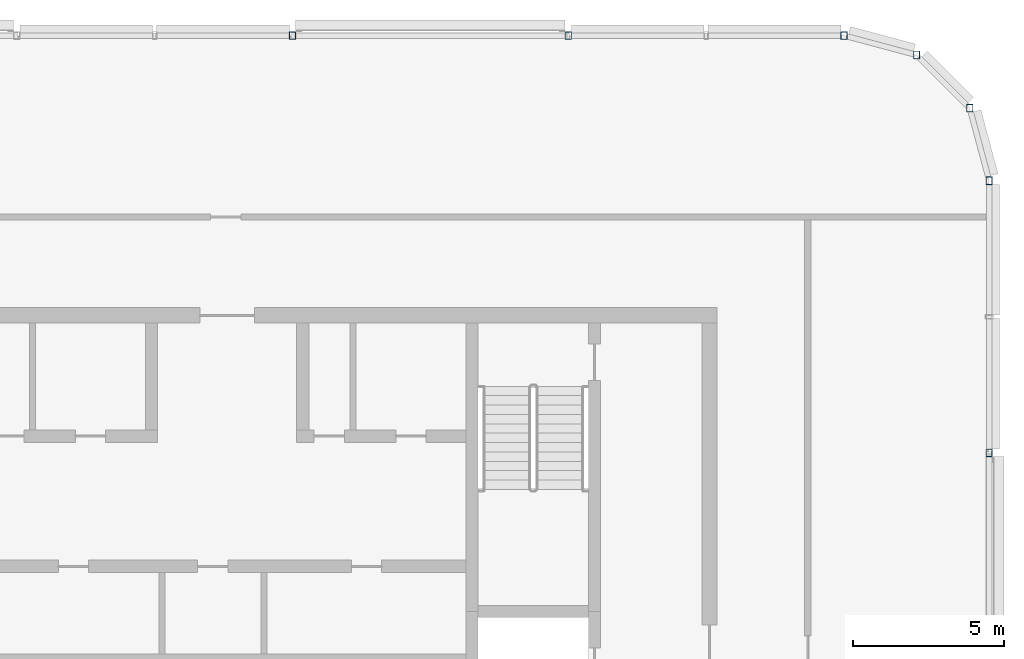
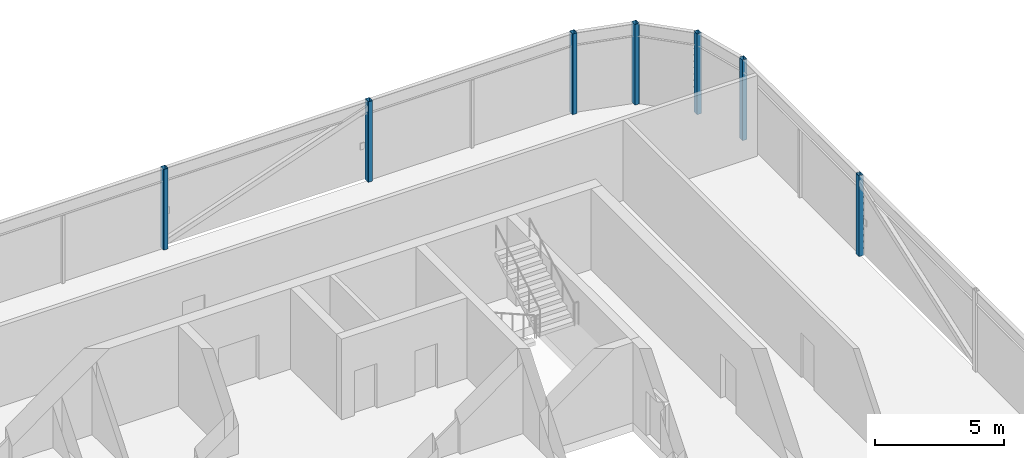
# One storey, part 4 of 28: 7 columns.
"""IFC4 building model written with IfcOpenShell, lengths in metres."""

import ifcopenshell
import ifcopenshell.guid

model = None  # the IFC model being written
_history = None  # IfcOwnerHistory: only IFC2X3 demands one
_inside = {}  # id of a spatial element -> (the spatial element, [elements in it])
_under = {}  # id of a project, library or spatial element -> (it, [spatial elements below it])
_declared = {}  # id of a project -> (the project, [libraries it declares])
_typed = {}  # id of a type object -> (the type object, [elements of that type])
_made_of = {}  # id of a material, layer set ... -> (it, [elements and type objects made of it])


def new_model(schema):
    """Start an empty IFC model of exactly this schema.

    Asked for "IFC4X3", IfcOpenShell would pick the latest addendum, in which some entities
    have other attributes; the version numbers below select the first issue.
    IFC2X3 requires an IfcOwnerHistory on every rooted entity: one is made here for all.
    """
    global model, _history
    if schema == "IFC4X3":
        model = ifcopenshell.file(schema_version=(4, 3, 0, 0))
    else:
        model = ifcopenshell.file(schema=schema)
    _inside.clear()
    _under.clear()
    _declared.clear()
    _typed.clear()
    _made_of.clear()
    _history = None
    if model.schema == "IFC2X3":
        org = make("IfcOrganization", Name="unknown")
        user = make(
            "IfcPersonAndOrganization",
            ThePerson=make("IfcPerson", FamilyName="unknown"),
            TheOrganization=org,
        )
        app = make(
            "IfcApplication",
            ApplicationDeveloper=org,
            Version="unknown",
            ApplicationFullName="unknown",
            ApplicationIdentifier="unknown",
        )
        _history = make(
            "IfcOwnerHistory",
            OwningUser=user,
            OwningApplication=app,
            ChangeAction="ADDED",
            CreationDate=0,
        )
    return model


def make(cls, **values):
    """One entity of the class cls with the attributes given. An attribute that is None is left unset."""
    return model.create_entity(
        cls, **{name: value for name, value in values.items() if value is not None}
    )


def rooted(cls, **values):
    """An entity with a GlobalId (a new one), such as an element, a storey or a relation."""
    return make(cls, GlobalId=ifcopenshell.guid.new(), OwnerHistory=_history, **values)


def si_unit(unit_type, name, prefix=None):
    """IfcSIUnit, for example si_unit("LENGTHUNIT", "METRE", prefix="MILLI")."""
    return make("IfcSIUnit", UnitType=unit_type, Prefix=prefix, Name=name)


def assignment(units):
    """IfcUnitAssignment: the units of a project."""
    return None if units is None else make("IfcUnitAssignment", Units=units)


def point(xyz):
    """IfcCartesianPoint."""
    return None if xyz is None else make("IfcCartesianPoint", Coordinates=xyz)


def direction(xyz):
    """IfcDirection."""
    return None if xyz is None else make("IfcDirection", DirectionRatios=xyz)


def frame(location, z_axis=None, x_axis=None):
    """IfcAxis2Placement3D, a coordinate frame: its origin and axes. An axis left out is left unset."""
    return make(
        "IfcAxis2Placement3D",
        Location=point(location),
        Axis=direction(z_axis),
        RefDirection=direction(x_axis),
    )


def frame_2d(location, x_axis=None):
    """IfcAxis2Placement2D, a coordinate frame in the plane: its origin and x axis."""
    return make(
        "IfcAxis2Placement2D", Location=point(location), RefDirection=direction(x_axis)
    )


def origin():
    """The frame at (0, 0, 0) with its axes left unset."""
    return frame((0.0, 0.0, 0.0))


def origin_2d():
    """The frame at (0, 0) in the plane with its x axis left unset."""
    return frame_2d((0.0, 0.0))


def place(relative_to, where):
    """IfcLocalPlacement: puts the frame where relative to a parent placement (None: the world)."""
    return make(
        "IfcLocalPlacement", PlacementRelTo=relative_to, RelativePlacement=where
    )


def context(
    kind, dimensions, precision=None, world=None, true_north=None, identifier=None
):
    """IfcGeometricRepresentationContext, for example the 3D "Model" context."""
    return make(
        "IfcGeometricRepresentationContext",
        ContextIdentifier=identifier,
        ContextType=kind,
        CoordinateSpaceDimension=dimensions,
        Precision=precision,
        WorldCoordinateSystem=world,
        TrueNorth=true_north,
    )


def subcontext(parent, identifier, kind, view, scale=None):
    """IfcGeometricRepresentationSubContext, for example "Body" below "Model"."""
    return make(
        "IfcGeometricRepresentationSubContext",
        ContextIdentifier=identifier,
        ContextType=kind,
        ParentContext=parent,
        TargetScale=scale,
        TargetView=view,
    )


def project(units=None, contexts=None):
    """IfcProject with its units and contexts."""
    return rooted(
        "IfcProject",
        Name="project",
        RepresentationContexts=contexts,
        UnitsInContext=assignment(units),
    )


def spatial(cls, under=None, at=None, **own):
    """A site, building, storey or space (cls), placed at a placement, below another one or the project."""
    s = rooted(cls, ObjectPlacement=at, **own)
    if under is not None:
        _under.setdefault(under.id(), (under, []))[1].append(s)
    return s


def profile(cls, at=None, kind="AREA", **sizes):
    """A parametric profile (cls). Its sizes go by their IFC names, for example OverallWidth=200.0."""
    return make(cls, ProfileType=kind, Position=at, **sizes)


def hollow_rectangle(**sizes):
    """IfcRectangleHollowProfileDef."""
    return profile("IfcRectangleHollowProfileDef", **sizes)


def extrude(swept, where, along, depth):
    """IfcExtrudedAreaSolid: the profile swept, set in the frame where, extruded along a direction by depth."""
    return make(
        "IfcExtrudedAreaSolid",
        SweptArea=swept,
        Position=where,
        ExtrudedDirection=direction(along),
        Depth=depth,
    )


def shape(context_of_items, identifier, shape_type, items):
    """IfcShapeRepresentation: the items that make up one representation, for example the "Body"."""
    return make(
        "IfcShapeRepresentation",
        ContextOfItems=context_of_items,
        RepresentationIdentifier=identifier,
        RepresentationType=shape_type,
        Items=items,
    )


def material(Name=None, Category=None):
    """IfcMaterial."""
    return make("IfcMaterial", Name=Name, Category=Category)


def material_profile(
    of_material, cross_section, Name=None, Category=None, Priority=None
):
    """IfcMaterialProfile: a cross section and its material."""
    return make(
        "IfcMaterialProfile",
        Name=Name,
        Material=of_material,
        Profile=cross_section,
        Priority=Priority,
        Category=Category,
    )


def profile_set(profiles, Name=None, composite=None):
    """IfcMaterialProfileSet."""
    return make(
        "IfcMaterialProfileSet",
        Name=Name,
        MaterialProfiles=profiles,
        CompositeProfile=composite,
    )


def made_of(thing, what):
    """Note that an element or type object is made of a material, layer set ...; save() writes the relation."""
    if what is not None:
        _made_of.setdefault(what.id(), (what, []))[1].append(thing)
    return thing


def type_object(cls, material=None, **own):
    """A type object (cls), such as IfcWallType, which elements share."""
    return made_of(rooted(cls, **own), material)


def element(
    cls,
    number,
    at=None,
    inside=None,
    cuts=None,
    type_object=None,
    material=None,
    context=None,
    identifier="Body",
    shape_type=None,
    held_by="IfcProductDefinitionShape",
    body=None,
    shapes=None,
    **own,
):
    """One element of the class cls, such as IfcWall. Its Tag is "e" and its number.

    at: its placement. inside: the storey or other place that contains it. cuts: it is an
    opening in that element (IfcRelVoidsElement). A single representation is given by context,
    identifier, shape_type and body (its items); several are given by shapes. held_by: the class
    of the entity that holds the representations. save() writes the other relations.
    """
    e = rooted(cls, Tag="e%d" % number, ObjectPlacement=at, **own)
    if body is not None:
        shapes = [shape(context, identifier, shape_type, body)]
    if shapes is not None:
        e.Representation = make(held_by, Representations=shapes)
    if inside is not None:
        _inside.setdefault(inside.id(), (inside, []))[1].append(e)
    if cuts is not None:
        rooted(
            "IfcRelVoidsElement", RelatingBuildingElement=cuts, RelatedOpeningElement=e
        )
    if type_object is not None:
        _typed.setdefault(type_object.id(), (type_object, []))[1].append(e)
    return made_of(e, material)


def aggregate(whole, parts):
    """IfcRelAggregates: a whole, such as a stair, and the parts it consists of."""
    return rooted("IfcRelAggregates", RelatingObject=whole, RelatedObjects=parts)


def save(model, path):
    """Write the relations noted so far, then the file.

    IfcRelAggregates (storeys below a building ...), IfcRelContainedInSpatialStructure (elements
    in a storey), IfcRelDefinesByType, IfcRelAssociatesMaterial and IfcRelDeclares: one each for
    every whole, place, type object, material and project.
    """
    for whole, parts in _under.values():
        aggregate(whole, parts)
    for where, things in _inside.values():
        rooted(
            "IfcRelContainedInSpatialStructure",
            RelatedElements=things,
            RelatingStructure=where,
        )
    for kind, things in _typed.values():
        rooted("IfcRelDefinesByType", RelatedObjects=things, RelatingType=kind)
    for what, things in _made_of.values():
        rooted("IfcRelAssociatesMaterial", RelatedObjects=things, RelatingMaterial=what)
    for by, libraries in _declared.values():
        rooted("IfcRelDeclares", RelatingContext=by, RelatedDefinitions=libraries)
    model.write(path)


model = new_model("IFC4")

# Units and contexts
model_context = context("Model", 3, precision=1e-05, world=origin(), true_north=direction((0.0, 1.0)))
body_context = subcontext(model_context, "Body", "Model", "MODEL_VIEW")
ifc_project = project(units=[si_unit("LENGTHUNIT", "METRE"), si_unit("AREAUNIT", "SQUARE_METRE"), si_unit("VOLUMEUNIT", "CUBIC_METRE"), si_unit("PLANEANGLEUNIT", "RADIAN"), si_unit("MASSUNIT", "GRAM", prefix="KILO")], contexts=[model_context])

# Site, building, storey
site_placement = place(None, origin())
site = spatial("IfcSite", under=ifc_project, at=site_placement, CompositionType="ELEMENT")
building_placement = place(site_placement, origin())
building = spatial("IfcBuilding", under=site, at=building_placement, Name="Madar Terraces", CompositionType="ELEMENT")
storey_placement = place(building_placement, frame((0.0, 0.0, 305.89990234375)))
storey = spatial("IfcBuildingStorey", under=building, at=storey_placement, Name="L79", CompositionType="ELEMENT", Elevation=305.89990234375)

# Columns
ifc_material = material(Name="Steel ASTM A500 Grade C", Category="steel")
ifc_material_profile = material_profile(ifc_material, hollow_rectangle(XDim=0.203125, YDim=0.25390625, WallThickness=0.009521484375, InnerFilletRadius=0.00439453125, OuterFilletRadius=0.01318359375, at=origin_2d()), Name="HSS10x8x.375")
ifc_profile_set = profile_set([ifc_material_profile], Name="Steel ASTM A500 Grade C")
column_type = type_object("IfcColumnType", Name="CF1 HSS10x8x.375", PredefinedType="COLUMN", material=ifc_profile_set)
for number, where, z_axis, x_axis, name in (
    (1, (56.39990234375, 33.0, 0.0), (0.0, 0.0, 1.0), (1.0, 0.0, 0.0), "Crown frame column CF1"),
    (2, (56.39990234375, 42.0, 0.0), (0.0, 0.0, 1.0), (1.0, 0.0, 0.0), "Crown frame column CF1"),
    (3, (55.7568359375, 44.39990234375, 0.0), (0.0, 0.0, 1.0), (1.0, 0.0, 0.0), "Crown frame column CF1"),
    (4, (54.0, 46.156982421875, 0.0), (0.0, 0.0, 1.0), (1.0, 0.0, 0.0), "Crown frame column CF1"),
    (5, (51.60009765625, 46.800048828125, 0.0), (0.0, 0.0, 1.0), (1.0, 0.0, 0.0), "Crown frame column CF1"),
    (6, (42.47998046875, 46.800048828125, 0.0), (0.0, 0.0, 1.0), (1.0, 0.0, 0.0), "Crown frame column CF1"),
    (7, (33.360107421875, 46.800048828125, 0.0), (0.0, 0.0, 1.0), (1.0, 0.0, 0.0), "Crown frame column CF1"),
):
    element("IfcColumn", number, at=place(storey_placement, frame(where, z_axis=z_axis, x_axis=x_axis)), inside=storey, type_object=column_type, Name=name, PredefinedType="COLUMN", context=body_context, shape_type="SweptSolid", body=[
        extrude(hollow_rectangle(XDim=0.203125, YDim=0.25390625, WallThickness=0.009521484375, InnerFilletRadius=0.00439453125, OuterFilletRadius=0.01318359375, at=origin_2d()), origin(), (0.0, 0.0, 1.0), 3.800048828125),
    ])

save(model, "model.ifc")
